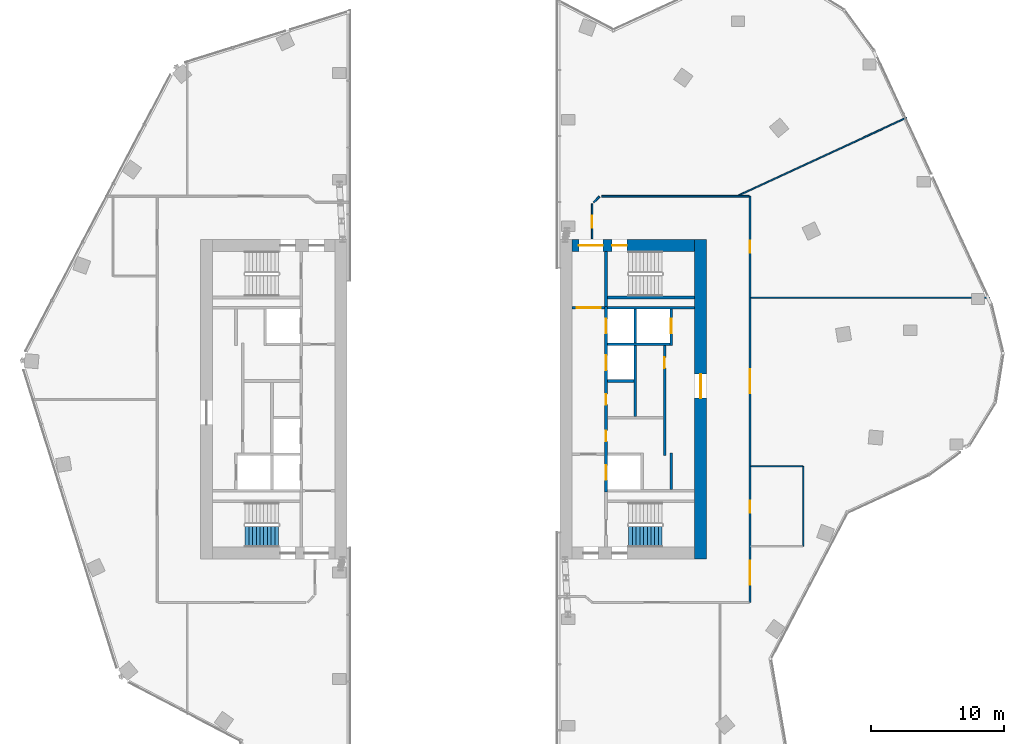
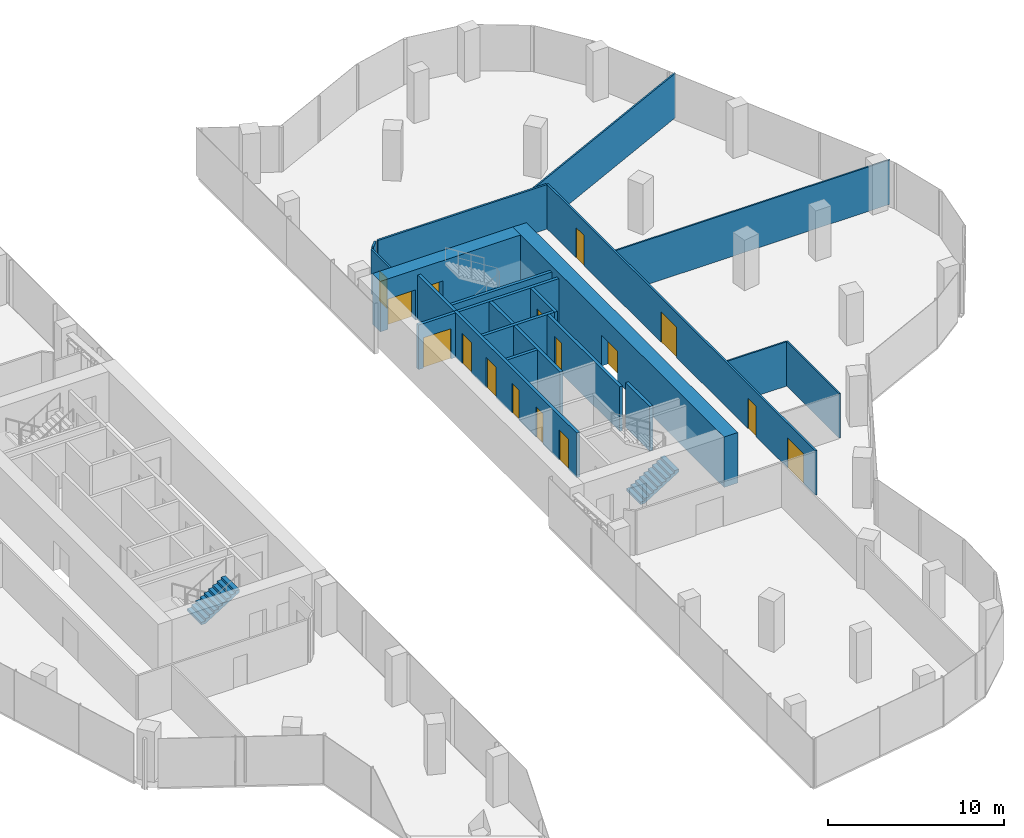
# One storey, part 20 of 23: 22 walls, 16 doors, 2 stair flights, 16 openings, 2 elements without a shape of their own.
"""IFC4 building model written with IfcOpenShell, lengths in metres."""

from ifc_helpers import new_model, si_unit, direction, frame, frame_2d, origin, place, context, subcontext, project, spatial, polyline, rectangle, outline, extrude, material, layer, layer_set, type_object, element, fill, aggregate, save


model = new_model("IFC4")

# Units and contexts
model_context = context("Model", 3, precision=1e-05, world=origin(), true_north=direction((0.0, 1.0)))
body_context = subcontext(model_context, "Body", "Model", "MODEL_VIEW")
ifc_project = project(units=[si_unit("LENGTHUNIT", "METRE"), si_unit("AREAUNIT", "SQUARE_METRE"), si_unit("VOLUMEUNIT", "CUBIC_METRE"), si_unit("PLANEANGLEUNIT", "RADIAN"), si_unit("MASSUNIT", "GRAM", prefix="KILO")], contexts=[model_context])

# Site, building, storey
site_placement = place(None, origin())
site = spatial("IfcSite", under=ifc_project, at=site_placement, CompositionType="ELEMENT")
building_placement = place(site_placement, origin())
building = spatial("IfcBuilding", under=site, at=building_placement, Name="Orlundy Tower", CompositionType="ELEMENT")
storey_placement = place(building_placement, frame((0.0, 0.0, 257.0)))
storey = spatial("IfcBuildingStorey", under=building, at=storey_placement, Name="L68", CompositionType="ELEMENT", Elevation=257.0)

# Wall, openings, doors
ifc_material_1 = material(Name="Concrete C60/75", Category="concrete")
ifc_layer_1 = layer(ifc_material_1, 0.89990234375)
ifc_layer_set_1 = layer_set([ifc_layer_1], Name="CORE WALL 900 C60/75")
wall_type_1 = type_object("IfcWallType", Name="CORE WALL 900 C60/75", PredefinedType="SHEAR", material=ifc_layer_set_1)
wall_1_placement = place(storey_placement, frame((8.89990234375, 11.550048828125, 0.0), z_axis=(0.0, 0.0, 1.0), x_axis=(1.0, 0.0, 0.0)))
wall_1 = element("IfcWall", 1, at=wall_1_placement, inside=storey, type_object=wall_type_1, Name="Core wall E-N L68", PredefinedType="SHEAR", context=body_context, shape_type="SweptSolid", body=[
    extrude(rectangle(XDim=9.2001953125, YDim=0.89990234375, at=frame_2d((4.60009765625, 0.0))), origin(), (0.0, 0.0, 1.0), 3.5),
])
opening_1_placement = place(wall_1_placement, frame((0.5, 0.0, 0.0)))
opening_1 = element("IfcOpeningElement", 2, at=opening_1_placement, cuts=wall_1, Name="Opening 52061", PredefinedType="OPENING", context=body_context, shape_type="SweptSolid", body=[
    extrude(rectangle(XDim=1.800048828125, YDim=2.10009765625, at=frame_2d((0.89990234375, 1.050048828125))), frame((0.0, 0.4599609375, 0.0), z_axis=(0.0, -1.0, 0.0), x_axis=(1.0, 0.0, 0.0)), (0.0, 0.0, 1.0), 0.919921875),
])
opening_2_placement = place(wall_1_placement, frame((3.0, 0.0, 0.0)))
opening_2 = element("IfcOpeningElement", 3, at=opening_2_placement, cuts=wall_1, Name="Opening 52063", PredefinedType="OPENING", context=body_context, shape_type="SweptSolid", body=[
    extrude(rectangle(XDim=1.10009765625, YDim=2.10009765625, at=frame_2d((0.550048828125, 1.050048828125))), frame((0.0, 0.4599609375, 0.0), z_axis=(0.0, -1.0, 0.0), x_axis=(1.0, 0.0, 0.0)), (0.0, 0.0, 1.0), 0.919921875),
])
ifc_material_2 = material(Name="Timber door set", Category="wood")
door_type_1 = type_object("IfcDoorType", Name="Lobby Door 1800x2100", OperationType="DOUBLE_DOOR_DOUBLE_SWING", PredefinedType="DOOR", material=ifc_material_2)
door_1_placement = place(opening_1_placement, origin())
door_1 = element("IfcDoor", 4, at=door_1_placement, inside=storey, type_object=door_type_1, Name="Passage door 52061", OperationType="SINGLE_SWING_LEFT", OverallHeight=2.10009765625, OverallWidth=1.800048828125, PredefinedType="DOOR", context=body_context, shape_type="SweptSolid", body=[
    extrude(rectangle(XDim=1.800048828125, YDim=2.10009765625, at=frame_2d((0.89990234375, 1.050048828125))), frame((0.0, 0.02490234375, 0.0), z_axis=(0.0, -1.0, 0.0), x_axis=(1.0, 0.0, 0.0)), (0.0, 0.0, 1.0), 0.050048828125),
])
fill(opening_1, door_1)
ifc_material_3 = material(Name="Steel door set", Category="steel")
door_type_2 = type_object("IfcDoorType", Name="Stair Door 1100x2100", OperationType="SINGLE_SWING_LEFT", PredefinedType="DOOR", material=ifc_material_3)
door_2_placement = place(opening_2_placement, origin())
door_2 = element("IfcDoor", 5, at=door_2_placement, inside=storey, type_object=door_type_2, Name="Stair door 52063", OperationType="SINGLE_SWING_LEFT", OverallHeight=2.10009765625, OverallWidth=1.10009765625, PredefinedType="DOOR", context=body_context, shape_type="SweptSolid", body=[
    extrude(rectangle(XDim=1.10009765625, YDim=2.10009765625, at=frame_2d((0.550048828125, 1.050048828125))), frame((0.0, 0.02490234375, 0.0), z_axis=(0.0, -1.0, 0.0), x_axis=(1.0, 0.0, 0.0)), (0.0, 0.0, 1.0), 0.050048828125),
])
fill(opening_2, door_2)

# Wall, opening, door
wall_2_placement = place(storey_placement, frame((18.550048828125, -12.0, 0.0), z_axis=(0.0, 0.0, 1.0), x_axis=(0.0, 1.0, 0.0)))
wall_2 = element("IfcWall", 6, at=wall_2_placement, inside=storey, type_object=wall_type_1, Name="Core wall E-E L68", PredefinedType="SHEAR", context=body_context, shape_type="SweptSolid", body=[
    extrude(rectangle(XDim=24.0, YDim=0.89990234375, at=frame_2d((12.0, 0.0))), origin(), (0.0, 0.0, 1.0), 3.5),
])
opening_3_placement = place(wall_2_placement, frame((12.10009765625, 0.0, 0.0)))
opening_3 = element("IfcOpeningElement", 7, at=opening_3_placement, cuts=wall_2, Name="Opening 52057", PredefinedType="OPENING", context=body_context, shape_type="SweptSolid", body=[
    extrude(rectangle(XDim=1.800048828125, YDim=2.10009765625, at=frame_2d((0.89990234375, 1.050048828125))), frame((0.0, 0.4599609375, 0.0), z_axis=(0.0, -1.0, 0.0), x_axis=(1.0, 0.0, 0.0)), (0.0, 0.0, 1.0), 0.919921875),
])
door_3_placement = place(opening_3_placement, origin())
door_3 = element("IfcDoor", 8, at=door_3_placement, inside=storey, type_object=door_type_1, Name="Lift lobby door 52057", OperationType="SINGLE_SWING_RIGHT", OverallHeight=2.10009765625, OverallWidth=1.800048828125, PredefinedType="DOOR", context=body_context, shape_type="SweptSolid", body=[
    extrude(rectangle(XDim=1.800048828125, YDim=2.10009765625, at=frame_2d((0.89990234375, 1.050048828125))), frame((0.0, 0.02490234375, 0.0), z_axis=(0.0, -1.0, 0.0), x_axis=(1.0, 0.0, 0.0)), (0.0, 0.0, 1.0), 0.050048828125),
])
fill(opening_3, door_3)

# Walls
ifc_material_4 = material(Name="Gypsum board partition")
ifc_layer_2 = layer(ifc_material_4, 0.10009765625)
ifc_layer_set_2 = layer_set([ifc_layer_2], Name="Floor partition 100")
wall_type_2 = type_object("IfcWallType", Name="Floor partition 100", PredefinedType="PARTITIONING", material=ifc_layer_set_2)
wall_3_placement = place(storey_placement, frame((22.31396484375, -5.029052734375, 0.0), z_axis=(0.0, 0.0, 1.0), x_axis=(1.0, 0.0, 0.0)))
element("IfcWall", 9, at=wall_3_placement, inside=storey, type_object=wall_type_2, Name="wall-int-L68-005", PredefinedType="PARTITIONING", context=body_context, shape_type="SweptSolid", body=[
    extrude(rectangle(XDim=3.885009765625, YDim=0.10009765625, at=frame_2d((1.9423828125, 0.0))), origin(), (0.0, 0.0, 1.0), 3.080078125),
])
wall_4_placement = place(storey_placement, frame((22.31396484375, 7.6240234375, 0.0), z_axis=(0.0, 0.0, 1.0), x_axis=(1.0, 0.0, 0.0)))
element("IfcWall", 10, at=wall_4_placement, inside=storey, type_object=wall_type_2, Name="wall-int-L68-007", PredefinedType="PARTITIONING", context=body_context, shape_type="SweptSolid", body=[
    extrude(rectangle(XDim=17.95703125, YDim=0.10009765625, at=frame_2d((8.978515625, 0.0))), origin(), (0.0, 0.0, 1.0), 3.080078125),
])
wall_5_placement = place(storey_placement, frame((21.325927734375, 15.277099609375, 0.0), z_axis=(0.0, 0.0, 1.0), x_axis=(0.907542351842, 0.419960569117, 0.0)))
element("IfcWall", 11, at=wall_5_placement, inside=storey, type_object=wall_type_2, Name="wall-int-L68-012", PredefinedType="PARTITIONING", context=body_context, shape_type="SweptSolid", body=[
    extrude(rectangle(XDim=13.9794921875, YDim=0.10009765625, at=frame_2d((6.98974609375, 0.0))), origin(), (0.0, 0.0, 1.0), 3.080078125),
])
wall_6_placement = place(storey_placement, frame((26.2490234375, -11.030029296875, 0.0), z_axis=(0.0, 0.0, 1.0), x_axis=(0.0, 1.0, 0.0)))
element("IfcWall", 12, at=wall_6_placement, inside=storey, type_object=wall_type_2, Name="wall-int-L68-015", PredefinedType="PARTITIONING", context=body_context, shape_type="SweptSolid", body=[
    extrude(rectangle(XDim=6.0009765625, YDim=0.10009765625, at=frame_2d((3.00048828125, 0.0))), origin(), (0.0, 0.0, 1.0), 3.080078125),
])
ifc_material_5 = material(Name="Gypsum board partition, double layer")
ifc_layer_3 = layer(ifc_material_5, 0.125)
ifc_layer_set_3 = layer_set([ifc_layer_3], Name="Floor partition 125")
wall_type_3 = type_object("IfcWallType", Name="Floor partition 125", PredefinedType="PARTITIONING", material=ifc_layer_set_3)
wall_7_placement = place(storey_placement, frame((11.10693359375, 15.2509765625, 0.0), z_axis=(0.0, 0.0, 1.0), x_axis=(1.0, 0.0, 0.0)))
element("IfcWall", 13, at=wall_7_placement, inside=storey, type_object=wall_type_3, Name="wall-int-L68-011", PredefinedType="PARTITIONING", context=body_context, shape_type="SweptSolid", body=[
    extrude(rectangle(XDim=11.0810546875, YDim=0.125, at=frame_2d((5.54052734375, 0.0))), origin(), (0.0, 0.0, 1.0), 3.080078125),
])
wall_8_placement = place(storey_placement, frame((10.52099609375, 14.7890625, 0.0), z_axis=(0.0, 0.0, 1.0), x_axis=(0.698110320765, 0.715990209459, 0.0)))
element("IfcWall", 14, at=wall_8_placement, inside=storey, type_object=wall_type_3, Name="wall-int-L68-014", PredefinedType="PARTITIONING", context=body_context, shape_type="SweptSolid", body=[
    extrude(rectangle(XDim=0.614501953125, YDim=0.125, at=frame_2d((0.30712890625, 0.0))), origin(), (0.0, 0.0, 1.0), 3.080078125),
])

# Wall, openings, doors
wall_9_placement = place(storey_placement, frame((22.2509765625, 15.25, 0.0), z_axis=(0.0, 0.0, 1.0), x_axis=(0.0, -1.0, 0.0)))
wall_9 = element("IfcWall", 15, at=wall_9_placement, inside=storey, type_object=wall_type_3, Name="wall-int-L68-016", PredefinedType="PARTITIONING", context=body_context, shape_type="SweptSolid", body=[
    extrude(rectangle(XDim=30.5, YDim=0.125, at=frame_2d((15.25, 0.0))), origin(), (0.0, 0.0, 1.0), 3.080078125),
])
opening_4_placement = place(wall_9_placement, frame((27.3798828125, 0.0, 0.0)))
opening_4 = element("IfcOpeningElement", 16, at=opening_4_placement, cuts=wall_9, Name="Opening 52104", PredefinedType="OPENING", context=body_context, shape_type="SweptSolid", body=[
    extrude(rectangle(XDim=1.800048828125, YDim=2.10009765625, at=frame_2d((0.89990234375, 1.050048828125))), frame((0.0, 0.072509765625, 0.0), z_axis=(0.0, -1.0, 0.0), x_axis=(1.0, 0.0, 0.0)), (0.0, 0.0, 1.0), 0.14501953125),
])
opening_5_placement = place(wall_9_placement, frame((12.97607421875, 0.0, 0.0)))
opening_5 = element("IfcOpeningElement", 17, at=opening_5_placement, cuts=wall_9, Name="Opening 52105", PredefinedType="OPENING", context=body_context, shape_type="SweptSolid", body=[
    extrude(rectangle(XDim=1.800048828125, YDim=2.10009765625, at=frame_2d((0.89990234375, 1.050048828125))), frame((0.0, 0.072509765625, 0.0), z_axis=(0.0, -1.0, 0.0), x_axis=(1.0, 0.0, 0.0)), (0.0, 0.0, 1.0), 0.14501953125),
])
opening_6_placement = place(wall_9_placement, frame((3.35009765625, 0.0, 0.0)))
opening_6 = element("IfcOpeningElement", 18, at=opening_6_placement, cuts=wall_9, Name="Opening 52106", PredefinedType="OPENING", context=body_context, shape_type="SweptSolid", body=[
    extrude(rectangle(XDim=0.89990234375, YDim=2.10009765625, at=frame_2d((0.449951171875, 1.050048828125))), frame((0.0, 0.072509765625, 0.0), z_axis=(0.0, -1.0, 0.0), x_axis=(1.0, 0.0, 0.0)), (0.0, 0.0, 1.0), 0.14501953125),
])
opening_7_placement = place(wall_9_placement, frame((22.8798828125, 0.0, 0.0)))
opening_7 = element("IfcOpeningElement", 19, at=opening_7_placement, cuts=wall_9, Name="Opening 52110", PredefinedType="OPENING", context=body_context, shape_type="SweptSolid", body=[
    extrude(rectangle(XDim=0.89990234375, YDim=2.10009765625, at=frame_2d((0.449951171875, 1.050048828125))), frame((0.0, 0.072509765625, 0.0), z_axis=(0.0, -1.0, 0.0), x_axis=(1.0, 0.0, 0.0)), (0.0, 0.0, 1.0), 0.14501953125),
])
ifc_material_6 = material(Name="Timber door leaf", Category="wood")
door_type_3 = type_object("IfcDoorType", Name="Floor door double 1800 FD30S", OperationType="NOTDEFINED", PredefinedType="DOOR", material=ifc_material_6)
door_4_placement = place(opening_4_placement, origin())
door_4 = element("IfcDoor", 20, at=door_4_placement, inside=storey, type_object=door_type_3, Name="Door 52104", OperationType="DOUBLE_DOOR_SINGLE_SWING", OverallHeight=2.10009765625, OverallWidth=1.800048828125, PredefinedType="DOOR", context=body_context, shape_type="SweptSolid", body=[
    extrude(rectangle(XDim=1.800048828125, YDim=2.10009765625, at=frame_2d((0.89990234375, 1.050048828125))), frame((0.0, 0.02490234375, 0.0), z_axis=(0.0, -1.0, 0.0), x_axis=(1.0, 0.0, 0.0)), (0.0, 0.0, 1.0), 0.050048828125),
])
fill(opening_4, door_4)
door_5_placement = place(opening_5_placement, origin())
door_5 = element("IfcDoor", 21, at=door_5_placement, inside=storey, type_object=door_type_3, Name="Door 52105", OperationType="DOUBLE_DOOR_SINGLE_SWING", OverallHeight=2.10009765625, OverallWidth=1.800048828125, PredefinedType="DOOR", context=body_context, shape_type="SweptSolid", body=[
    extrude(rectangle(XDim=1.800048828125, YDim=2.10009765625, at=frame_2d((0.89990234375, 1.050048828125))), frame((0.0, 0.02490234375, 0.0), z_axis=(0.0, -1.0, 0.0), x_axis=(1.0, 0.0, 0.0)), (0.0, 0.0, 1.0), 0.050048828125),
])
fill(opening_5, door_5)
ifc_material_7 = material(Name="Timber door leaf", Category="wood")
door_type_4 = type_object("IfcDoorType", Name="Floor door single 900 FD30S", OperationType="NOTDEFINED", PredefinedType="DOOR", material=ifc_material_7)
door_6_placement = place(opening_6_placement, origin())
door_6 = element("IfcDoor", 22, at=door_6_placement, inside=storey, type_object=door_type_4, Name="Door 52106", OperationType="SINGLE_SWING_LEFT", OverallHeight=2.10009765625, OverallWidth=0.89990234375, PredefinedType="DOOR", context=body_context, shape_type="SweptSolid", body=[
    extrude(rectangle(XDim=0.89990234375, YDim=2.10009765625, at=frame_2d((0.449951171875, 1.050048828125))), frame((0.0, 0.02490234375, 0.0), z_axis=(0.0, -1.0, 0.0), x_axis=(1.0, 0.0, 0.0)), (0.0, 0.0, 1.0), 0.050048828125),
])
fill(opening_6, door_6)
door_7_placement = place(opening_7_placement, origin())
door_7 = element("IfcDoor", 23, at=door_7_placement, inside=storey, type_object=door_type_4, Name="Door 52110", OperationType="SINGLE_SWING_RIGHT", OverallHeight=2.10009765625, OverallWidth=0.89990234375, PredefinedType="DOOR", context=body_context, shape_type="SweptSolid", body=[
    extrude(rectangle(XDim=0.89990234375, YDim=2.10009765625, at=frame_2d((0.449951171875, 1.050048828125))), frame((0.0, 0.02490234375, 0.0), z_axis=(0.0, -1.0, 0.0), x_axis=(1.0, 0.0, 0.0)), (0.0, 0.0, 1.0), 0.050048828125),
])
fill(opening_7, door_7)

# Wall, opening, door
wall_10_placement = place(storey_placement, frame((10.39990234375, 12.050048828125, 0.0), z_axis=(0.0, 0.0, 1.0), x_axis=(0.0, 1.0, 0.0)))
wall_10 = element("IfcWall", 24, at=wall_10_placement, inside=storey, type_object=wall_type_3, Name="wall-int-L68-019", PredefinedType="PARTITIONING", context=body_context, shape_type="SweptSolid", body=[
    extrude(rectangle(XDim=2.619873046875, YDim=0.125, at=frame_2d((1.31005859375, 0.0))), origin(), (0.0, 0.0, 1.0), 3.080078125),
])
opening_8_placement = place(wall_10_placement, frame((0.85009765625, 0.0, 0.0)))
opening_8 = element("IfcOpeningElement", 25, at=opening_8_placement, cuts=wall_10, Name="Opening 52107", PredefinedType="OPENING", context=body_context, shape_type="SweptSolid", body=[
    extrude(rectangle(XDim=0.89990234375, YDim=2.10009765625, at=frame_2d((0.449951171875, 1.050048828125))), frame((0.0, 0.072509765625, 0.0), z_axis=(0.0, -1.0, 0.0), x_axis=(1.0, 0.0, 0.0)), (0.0, 0.0, 1.0), 0.14501953125),
])
door_8_placement = place(opening_8_placement, origin())
door_8 = element("IfcDoor", 26, at=door_8_placement, inside=storey, type_object=door_type_4, Name="Door 52107", OperationType="SINGLE_SWING_LEFT", OverallHeight=2.10009765625, OverallWidth=0.89990234375, PredefinedType="DOOR", context=body_context, shape_type="SweptSolid", body=[
    extrude(rectangle(XDim=0.89990234375, YDim=2.10009765625, at=frame_2d((0.449951171875, 1.050048828125))), frame((0.0, 0.02490234375, 0.0), z_axis=(0.0, -1.0, 0.0), x_axis=(1.0, 0.0, 0.0)), (0.0, 0.0, 1.0), 0.050048828125),
])
fill(opening_8, door_8)

# Walls
ifc_material_8 = material(Name="Concrete C40/50", Category="concrete")
ifc_layer_4 = layer(ifc_material_8, 0.199951171875)
ifc_layer_set_4 = layer_set([ifc_layer_4], Name="Load-bearing Shaft Wall 200")
wall_type_4 = type_object("IfcWallType", Name="Load-bearing Shaft Wall 200", PredefinedType="SOLIDWALL", material=ifc_layer_set_4)
wall_11_placement = place(storey_placement, frame((11.43994140625, 11.10009765625, 0.0), z_axis=(0.0, 0.0, 1.0), x_axis=(0.0, -1.0, 0.0)))
element("IfcWall", 27, at=wall_11_placement, inside=storey, type_object=wall_type_4, Name="Shaft wall E52-stair-end-s", PredefinedType="SOLIDWALL", context=body_context, shape_type="SweptSolid", body=[
    extrude(rectangle(XDim=4.125, YDim=0.199951171875, at=frame_2d((2.0625, 0.0))), origin(), (0.0, 0.0, 1.0), 3.090087890625),
])
wall_12_placement = place(storey_placement, frame((11.5400390625, 7.64990234375, 0.0), z_axis=(0.0, 0.0, 1.0), x_axis=(1.0, 0.0, 0.0)))
element("IfcWall", 28, at=wall_12_placement, inside=storey, type_object=wall_type_4, Name="Shaft wall E52-stair-side-s", PredefinedType="SOLIDWALL", context=body_context, shape_type="SweptSolid", body=[
    extrude(rectangle(XDim=6.56005859375, YDim=0.199951171875, at=frame_2d((3.280029296875, 0.0))), origin(), (0.0, 0.0, 1.0), 3.090087890625),
])

# Wall, opening, door
ifc_material_9 = material(Name="Gypsum board partition on steel studs", Category="steel")
ifc_layer_5 = layer(ifc_material_9, 0.199951171875)
ifc_layer_set_5 = layer_set([ifc_layer_5], Name="Partition 200")
wall_type_5 = type_object("IfcWallType", Name="Partition 200", PredefinedType="PARTITIONING", material=ifc_layer_set_5)
wall_13_placement = place(storey_placement, frame((8.89990234375, 6.875, 0.0), z_axis=(0.0, 0.0, 1.0), x_axis=(1.0, 0.0, 0.0)))
wall_13 = element("IfcWall", 29, at=wall_13_placement, inside=storey, type_object=wall_type_5, Name="Partition wall E52-end-s", PredefinedType="PARTITIONING", context=body_context, shape_type="SweptSolid", body=[
    extrude(rectangle(XDim=2.440185546875, YDim=0.199951171875, at=frame_2d((1.22021484375, 0.0))), origin(), (0.0, 0.0, 1.0), 3.090087890625),
])
opening_9_placement = place(wall_13_placement, frame((0.35009765625, 0.0, 0.0)))
opening_9 = element("IfcOpeningElement", 30, at=opening_9_placement, cuts=wall_13, Name="Opening 52060", PredefinedType="OPENING", context=body_context, shape_type="SweptSolid", body=[
    extrude(rectangle(XDim=1.800048828125, YDim=2.10009765625, at=frame_2d((0.89990234375, 1.050048828125))), frame((0.0, 0.110107421875, 0.0), z_axis=(0.0, -1.0, 0.0), x_axis=(1.0, 0.0, 0.0)), (0.0, 0.0, 1.0), 0.22021484375),
])
door_9_placement = place(opening_9_placement, origin())
door_9 = element("IfcDoor", 31, at=door_9_placement, inside=storey, type_object=door_type_1, Name="Lift lobby to passage door 52060", OperationType="DOUBLE_DOOR_DOUBLE_SWING", OverallHeight=2.10009765625, OverallWidth=1.800048828125, PredefinedType="DOOR", context=body_context, shape_type="SweptSolid", body=[
    extrude(rectangle(XDim=1.800048828125, YDim=2.10009765625, at=frame_2d((0.89990234375, 1.050048828125))), frame((0.0, 0.02490234375, 0.0), z_axis=(0.0, -1.0, 0.0), x_axis=(1.0, 0.0, 0.0)), (0.0, 0.0, 1.0), 0.050048828125),
])
fill(opening_9, door_9)

# Walls
ifc_material_10 = material(Name="Fire-rated blockwork shaft wall", Category="masonry")
ifc_layer_6 = layer(ifc_material_10, 0.199951171875)
ifc_layer_set_6 = layer_set([ifc_layer_6], Name="Shaft Wall 200")
wall_type_6 = type_object("IfcWallType", Name="Shaft Wall 200", PredefinedType="SOLIDWALL", material=ifc_layer_set_6)
wall_14_placement = place(storey_placement, frame((11.5400390625, 6.875, 0.0), z_axis=(0.0, 0.0, 1.0), x_axis=(1.0, 0.0, 0.0)))
element("IfcWall", 32, at=wall_14_placement, inside=storey, type_object=wall_type_6, Name="Shaft wall E52-zone-s", PredefinedType="SOLIDWALL", context=body_context, shape_type="SweptSolid", body=[
    extrude(rectangle(XDim=6.56005859375, YDim=0.199951171875, at=frame_2d((3.280029296875, 0.0))), origin(), (0.0, 0.0, 1.0), 3.090087890625),
])
wall_15_placement = place(storey_placement, frame((11.5400390625, 4.125, 0.0), z_axis=(0.0, 0.0, 1.0), x_axis=(1.0, 0.0, 0.0)))
element("IfcWall", 33, at=wall_15_placement, inside=storey, type_object=wall_type_6, Name="Shaft wall E52-cross-4.125", PredefinedType="SOLIDWALL", context=body_context, shape_type="SweptSolid", body=[
    extrude(rectangle(XDim=4.699951171875, YDim=0.199951171875, at=frame_2d((2.35009765625, 0.0))), origin(), (0.0, 0.0, 1.0), 3.090087890625),
])
wall_16_placement = place(storey_placement, frame((11.5400390625, 1.375, 0.0), z_axis=(0.0, 0.0, 1.0), x_axis=(1.0, 0.0, 0.0)))
element("IfcWall", 34, at=wall_16_placement, inside=storey, type_object=wall_type_6, Name="Shaft wall E52-cross-1.375", PredefinedType="SOLIDWALL", context=body_context, shape_type="SweptSolid", body=[
    extrude(rectangle(XDim=2.0, YDim=0.199951171875, at=frame_2d((1.0, 0.0))), origin(), (0.0, 0.0, 1.0), 3.090087890625),
])

# Wall, openings, doors
wall_17_placement = place(storey_placement, frame((11.43994140625, 6.97509765625, 0.0), z_axis=(0.0, 0.0, 1.0), x_axis=(0.0, -1.0, 0.0)))
wall_17 = element("IfcWall", 35, at=wall_17_placement, inside=storey, type_object=wall_type_6, Name="Shaft wall E52-front-h", PredefinedType="SOLIDWALL", context=body_context, shape_type="SweptSolid", body=[
    extrude(rectangle(XDim=13.9501953125, YDim=0.199951171875, at=frame_2d((6.97509765625, 0.0))), origin(), (0.0, 0.0, 1.0), 3.090087890625),
])
opening_10_placement = place(wall_17_placement, frame((0.925048828125, 0.0, 0.0)))
opening_10 = element("IfcOpeningElement", 36, at=opening_10_placement, cuts=wall_17, Name="Opening 52050", PredefinedType="OPENING", context=body_context, shape_type="SweptSolid", body=[
    extrude(rectangle(XDim=1.10009765625, YDim=2.10009765625, at=frame_2d((0.550048828125, 1.050048828125))), frame((0.0, 0.110107421875, 0.0), z_axis=(0.0, -1.0, 0.0), x_axis=(1.0, 0.0, 0.0)), (0.0, 0.0, 1.0), 0.22021484375),
])
opening_11_placement = place(wall_17_placement, frame((3.675048828125, 0.0, 0.0)))
opening_11 = element("IfcOpeningElement", 37, at=opening_11_placement, cuts=wall_17, Name="Opening 52052", PredefinedType="OPENING", context=body_context, shape_type="SweptSolid", body=[
    extrude(rectangle(XDim=1.10009765625, YDim=2.10009765625, at=frame_2d((0.550048828125, 1.050048828125))), frame((0.0, 0.110107421875, 0.0), z_axis=(0.0, -1.0, 0.0), x_axis=(1.0, 0.0, 0.0)), (0.0, 0.0, 1.0), 0.22021484375),
])
opening_12_placement = place(wall_17_placement, frame((11.925048828125, 0.0, 0.0)))
opening_12 = element("IfcOpeningElement", 38, at=opening_12_placement, cuts=wall_17, Name="Opening 52053", PredefinedType="OPENING", context=body_context, shape_type="SweptSolid", body=[
    extrude(rectangle(XDim=1.10009765625, YDim=2.10009765625, at=frame_2d((0.550048828125, 1.050048828125))), frame((0.0, 0.110107421875, 0.0), z_axis=(0.0, -1.0, 0.0), x_axis=(1.0, 0.0, 0.0)), (0.0, 0.0, 1.0), 0.22021484375),
])
opening_13_placement = place(wall_17_placement, frame((6.574951171875, 0.0, 0.0)))
opening_13 = element("IfcOpeningElement", 39, at=opening_13_placement, cuts=wall_17, Name="Opening 52055", PredefinedType="OPENING", context=body_context, shape_type="SweptSolid", body=[
    extrude(rectangle(XDim=0.800048828125, YDim=2.10009765625, at=frame_2d((0.39990234375, 1.050048828125))), frame((0.0, 0.110107421875, 0.0), z_axis=(0.0, -1.0, 0.0), x_axis=(1.0, 0.0, 0.0)), (0.0, 0.0, 1.0), 0.22021484375),
])
opening_14_placement = place(wall_17_placement, frame((9.324951171875, 0.0, 0.0)))
opening_14 = element("IfcOpeningElement", 40, at=opening_14_placement, cuts=wall_17, Name="Opening 52056", PredefinedType="OPENING", context=body_context, shape_type="SweptSolid", body=[
    extrude(rectangle(XDim=0.800048828125, YDim=2.10009765625, at=frame_2d((0.39990234375, 1.050048828125))), frame((0.0, 0.110107421875, 0.0), z_axis=(0.0, -1.0, 0.0), x_axis=(1.0, 0.0, 0.0)), (0.0, 0.0, 1.0), 0.22021484375),
])
ifc_material_11 = material(Name="Steel door set", Category="steel")
door_type_5 = type_object("IfcDoorType", Name="Landing Door 1100x2100", OperationType="DOUBLE_DOOR_SLIDING", PredefinedType="DOOR", material=ifc_material_11)
door_10_placement = place(opening_10_placement, origin())
door_10 = element("IfcDoor", 41, at=door_10_placement, inside=storey, type_object=door_type_5, Name="Lift landing door LP-24 52050", OperationType="DOUBLE_DOOR_SLIDING", OverallHeight=2.10009765625, OverallWidth=1.10009765625, PredefinedType="DOOR", context=body_context, shape_type="SweptSolid", body=[
    extrude(rectangle(XDim=1.10009765625, YDim=2.10009765625, at=frame_2d((0.550048828125, 1.050048828125))), frame((0.0, 0.02490234375, 0.0), z_axis=(0.0, -1.0, 0.0), x_axis=(1.0, 0.0, 0.0)), (0.0, 0.0, 1.0), 0.050048828125),
])
fill(opening_10, door_10)
door_11_placement = place(opening_11_placement, origin())
door_11 = element("IfcDoor", 42, at=door_11_placement, inside=storey, type_object=door_type_5, Name="Lift landing door LP-23 52052", OperationType="DOUBLE_DOOR_SLIDING", OverallHeight=2.10009765625, OverallWidth=1.10009765625, PredefinedType="DOOR", context=body_context, shape_type="SweptSolid", body=[
    extrude(rectangle(XDim=1.10009765625, YDim=2.10009765625, at=frame_2d((0.550048828125, 1.050048828125))), frame((0.0, 0.02490234375, 0.0), z_axis=(0.0, -1.0, 0.0), x_axis=(1.0, 0.0, 0.0)), (0.0, 0.0, 1.0), 0.050048828125),
])
fill(opening_11, door_11)
door_12_placement = place(opening_12_placement, origin())
door_12 = element("IfcDoor", 43, at=door_12_placement, inside=storey, type_object=door_type_5, Name="Lift landing door FL2 52053", OperationType="DOUBLE_DOOR_SLIDING", OverallHeight=2.10009765625, OverallWidth=1.10009765625, PredefinedType="DOOR", context=body_context, shape_type="SweptSolid", body=[
    extrude(rectangle(XDim=1.10009765625, YDim=2.10009765625, at=frame_2d((0.550048828125, 1.050048828125))), frame((0.0, 0.02490234375, 0.0), z_axis=(0.0, -1.0, 0.0), x_axis=(1.0, 0.0, 0.0)), (0.0, 0.0, 1.0), 0.050048828125),
])
fill(opening_12, door_12)
ifc_material_12 = material(Name="Timber door set", Category="wood")
door_type_6 = type_object("IfcDoorType", Name="Riser Door 800x2100", OperationType="SINGLE_SWING_LEFT", PredefinedType="DOOR", material=ifc_material_12)
door_13_placement = place(opening_13_placement, origin())
door_13 = element("IfcDoor", 44, at=door_13_placement, inside=storey, type_object=door_type_6, Name="Coat Store door 52055", OperationType="SINGLE_SWING_LEFT", OverallHeight=2.10009765625, OverallWidth=0.800048828125, PredefinedType="DOOR", context=body_context, shape_type="SweptSolid", body=[
    extrude(rectangle(XDim=0.800048828125, YDim=2.10009765625, at=frame_2d((0.39990234375, 1.050048828125))), frame((0.0, 0.02490234375, 0.0), z_axis=(0.0, -1.0, 0.0), x_axis=(1.0, 0.0, 0.0)), (0.0, 0.0, 1.0), 0.050048828125),
])
fill(opening_13, door_13)
door_14_placement = place(opening_14_placement, origin())
door_14 = element("IfcDoor", 45, at=door_14_placement, inside=storey, type_object=door_type_6, Name="Parcel Store door 52056", OperationType="SINGLE_SWING_LEFT", OverallHeight=2.10009765625, OverallWidth=0.800048828125, PredefinedType="DOOR", context=body_context, shape_type="SweptSolid", body=[
    extrude(rectangle(XDim=0.800048828125, YDim=2.10009765625, at=frame_2d((0.39990234375, 1.050048828125))), frame((0.0, 0.02490234375, 0.0), z_axis=(0.0, -1.0, 0.0), x_axis=(1.0, 0.0, 0.0)), (0.0, 0.0, 1.0), 0.050048828125),
])
fill(opening_14, door_14)

# Walls
wall_18_placement = place(storey_placement, frame((13.639892578125, 6.77490234375, 0.0), z_axis=(0.0, 0.0, 1.0), x_axis=(0.0, -1.0, 0.0)))
element("IfcWall", 46, at=wall_18_placement, inside=storey, type_object=wall_type_6, Name="Shaft wall E52-mid-a", PredefinedType="SOLIDWALL", context=body_context, shape_type="SweptSolid", body=[
    extrude(rectangle(XDim=2.5498046875, YDim=0.199951171875, at=frame_2d((1.27490234375, 0.0))), origin(), (0.0, 0.0, 1.0), 3.090087890625),
])
wall_19_placement = place(storey_placement, frame((13.639892578125, 4.02490234375, 0.0), z_axis=(0.0, 0.0, 1.0), x_axis=(0.0, -1.0, 0.0)))
element("IfcWall", 47, at=wall_19_placement, inside=storey, type_object=wall_type_6, Name="Shaft wall E52-mid-a.1", PredefinedType="SOLIDWALL", context=body_context, shape_type="SweptSolid", body=[
    extrude(rectangle(XDim=5.2998046875, YDim=0.199951171875, at=frame_2d((2.64990234375, 0.0))), origin(), (0.0, 0.0, 1.0), 3.090087890625),
])

# Wall, opening, door
wall_20_placement = place(storey_placement, frame((16.340087890625, 6.77490234375, 0.0), z_axis=(0.0, 0.0, 1.0), x_axis=(0.0, -1.0, 0.0)))
wall_20 = element("IfcWall", 48, at=wall_20_placement, inside=storey, type_object=wall_type_6, Name="Shaft wall E52-front-o-a", PredefinedType="SOLIDWALL", context=body_context, shape_type="SweptSolid", body=[
    extrude(rectangle(XDim=2.75, YDim=0.199951171875, at=frame_2d((1.375, 0.0))), origin(), (0.0, 0.0, 1.0), 3.090087890625),
])
opening_15_placement = place(wall_20_placement, frame((0.72509765625, 0.0, 0.0)))
opening_15 = element("IfcOpeningElement", 49, at=opening_15_placement, cuts=wall_20, Name="Opening 52051", PredefinedType="OPENING", context=body_context, shape_type="SweptSolid", body=[
    extrude(rectangle(XDim=1.10009765625, YDim=2.10009765625, at=frame_2d((0.550048828125, 1.050048828125))), frame((0.0, 0.110107421875, 0.0), z_axis=(0.0, -1.0, 0.0), x_axis=(1.0, 0.0, 0.0)), (0.0, 0.0, 1.0), 0.22021484375),
])
door_15_placement = place(opening_15_placement, origin())
door_15 = element("IfcDoor", 50, at=door_15_placement, inside=storey, type_object=door_type_5, Name="Lift landing door LV-02 52051", OperationType="DOUBLE_DOOR_SLIDING", OverallHeight=2.10009765625, OverallWidth=1.10009765625, PredefinedType="DOOR", context=body_context, shape_type="SweptSolid", body=[
    extrude(rectangle(XDim=1.10009765625, YDim=2.10009765625, at=frame_2d((0.550048828125, 1.050048828125))), frame((0.0, 0.02490234375, 0.0), z_axis=(0.0, -1.0, 0.0), x_axis=(1.0, 0.0, 0.0)), (0.0, 0.0, 1.0), 0.050048828125),
])
fill(opening_15, door_15)

wall_21_placement = place(storey_placement, frame((15.840087890625, 4.02490234375, 0.0), z_axis=(0.0, 0.0, 1.0), x_axis=(0.0, -1.0, 0.0)))
wall_21 = element("IfcWall", 51, at=wall_21_placement, inside=storey, type_object=wall_type_6, Name="Shaft wall E52-front-o-b", PredefinedType="SOLIDWALL", context=body_context, shape_type="SweptSolid", body=[
    extrude(rectangle(XDim=8.25, YDim=0.199951171875, at=frame_2d((4.125, 0.0))), origin(), (0.0, 0.0, 1.0), 3.090087890625),
])
opening_16_placement = place(wall_21_placement, frame((0.875, 0.0, 0.0)))
opening_16 = element("IfcOpeningElement", 52, at=opening_16_placement, cuts=wall_21, Name="Opening 52054", PredefinedType="OPENING", context=body_context, shape_type="SweptSolid", body=[
    extrude(rectangle(XDim=0.800048828125, YDim=2.10009765625, at=frame_2d((0.39990234375, 1.050048828125))), frame((0.0, 0.110107421875, 0.0), z_axis=(0.0, -1.0, 0.0), x_axis=(1.0, 0.0, 0.0)), (0.0, 0.0, 1.0), 0.22021484375),
])
door_16_placement = place(opening_16_placement, origin())
door_16 = element("IfcDoor", 53, at=door_16_placement, inside=storey, type_object=door_type_6, Name="Printer Paper Store door 52054", OperationType="SINGLE_SWING_LEFT", OverallHeight=2.10009765625, OverallWidth=0.800048828125, PredefinedType="DOOR", context=body_context, shape_type="SweptSolid", body=[
    extrude(rectangle(XDim=0.800048828125, YDim=2.10009765625, at=frame_2d((0.39990234375, 1.050048828125))), frame((0.0, 0.02490234375, 0.0), z_axis=(0.0, -1.0, 0.0), x_axis=(1.0, 0.0, 0.0)), (0.0, 0.0, 1.0), 0.050048828125),
])
fill(opening_16, door_16)

# Wall
wall_22_placement = place(storey_placement, frame((16.340087890625, -4.02490234375, 0.0), z_axis=(0.0, 0.0, 1.0), x_axis=(0.0, -1.0, 0.0)))
element("IfcWall", 54, at=wall_22_placement, inside=storey, type_object=wall_type_6, Name="Shaft wall E52-front-o-c", PredefinedType="SOLIDWALL", context=body_context, shape_type="SweptSolid", body=[
    extrude(rectangle(XDim=2.75, YDim=0.199951171875, at=frame_2d((1.375, 0.0))), origin(), (0.0, 0.0, 1.0), 3.090087890625),
])

# Stair, stair flight
ifc_material_13 = material(Name="Concrete C50/60", Category="concrete")
stair_type = type_object("IfcStairType", Name="Exit Stair 20 risers", PredefinedType="HALF_TURN_STAIR", material=ifc_material_13)
stair_1_placement = place(storey_placement, origin())
stair_1 = element("IfcStair", 55, at=stair_1_placement, inside=storey, type_object=stair_type, Name="L68 Exit Stair ST-W2", PredefinedType="HALF_TURN_STAIR")
ifc_material_14 = material(Name="Concrete C50/60", Category="concrete")
stair_flight_type = type_object("IfcStairFlightType", Name="Stair Flight 10 risers", PredefinedType="STRAIGHT", material=ifc_material_14)
stair_flight_1_placement = place(storey_placement, frame((-15.659912109375, -10.300048828125, 1.75), z_axis=(0.0, 0.0, 1.0), x_axis=(1.0, 0.0, 0.0)))
stair_flight_1 = element("IfcStairFlight", 56, at=stair_flight_1_placement, type_object=stair_flight_type, Name="ST-W2 flight 2", NumberOfRisers=10, NumberOfTreads=9, PredefinedType="STRAIGHT", RiserHeight=0.175, TreadLength=0.28, context=body_context, shape_type="SweptSolid", body=[
    extrude(outline(polyline([(0.0, 0.0), (0.0, 0.175048828125), (0.280029296875, 0.175048828125), (0.280029296875, 0.35009765625), (0.56005859375, 0.35009765625), (0.56005859375, 0.52490234375), (0.840087890625, 0.52490234375), (0.840087890625, 0.699951171875), (1.1201171875, 0.699951171875), (1.1201171875, 0.875), (1.39990234375, 0.875), (1.39990234375, 1.050048828125), (1.679931640625, 1.050048828125), (1.679931640625, 1.22509765625), (1.9599609375, 1.22509765625), (1.9599609375, 1.39990234375), (2.239990234375, 1.39990234375), (2.239990234375, 1.574951171875), (2.52001953125, 1.574951171875), (2.52001953125, 1.75), (2.52001953125, 1.398193359375), (0.28271484375, 0.0), (0.0, 0.0)])), frame((0.0, 0.800048828125, 0.0), z_axis=(0.0, -1.0, 0.0), x_axis=(1.0, 0.0, 0.0)), (0.0, 0.0, 1.0), 1.60009765625),
])
aggregate(stair_1, [stair_flight_1])

stair_2_placement = place(storey_placement, origin())
stair_2 = element("IfcStair", 57, at=stair_2_placement, inside=storey, type_object=stair_type, Name="L68 Exit Stair ST-E1", PredefinedType="HALF_TURN_STAIR")
stair_flight_2_placement = place(storey_placement, frame((13.139892578125, -10.300048828125, 0.0), z_axis=(0.0, 0.0, 1.0), x_axis=(1.0, 0.0, 0.0)))
stair_flight_2 = element("IfcStairFlight", 58, at=stair_flight_2_placement, type_object=stair_flight_type, Name="ST-E1 flight 1", NumberOfRisers=10, NumberOfTreads=9, PredefinedType="STRAIGHT", RiserHeight=0.175, TreadLength=0.28, context=body_context, shape_type="SweptSolid", body=[
    extrude(outline(polyline([(0.0, 0.0), (0.0, 0.175048828125), (0.280029296875, 0.175048828125), (0.280029296875, 0.35009765625), (0.56005859375, 0.35009765625), (0.56005859375, 0.52490234375), (0.840087890625, 0.52490234375), (0.840087890625, 0.699951171875), (1.1201171875, 0.699951171875), (1.1201171875, 0.875), (1.39990234375, 0.875), (1.39990234375, 1.050048828125), (1.679931640625, 1.050048828125), (1.679931640625, 1.22509765625), (1.9599609375, 1.22509765625), (1.9599609375, 1.39990234375), (2.239990234375, 1.39990234375), (2.239990234375, 1.574951171875), (2.52001953125, 1.574951171875), (2.52001953125, 1.75), (2.52001953125, 1.398193359375), (0.28271484375, 0.0), (0.0, 0.0)])), frame((0.0, 0.800048828125, 0.0), z_axis=(0.0, -1.0, 0.0), x_axis=(1.0, 0.0, 0.0)), (0.0, 0.0, 1.0), 1.60009765625),
])
aggregate(stair_2, [stair_flight_2])

save(model, "model.ifc")
